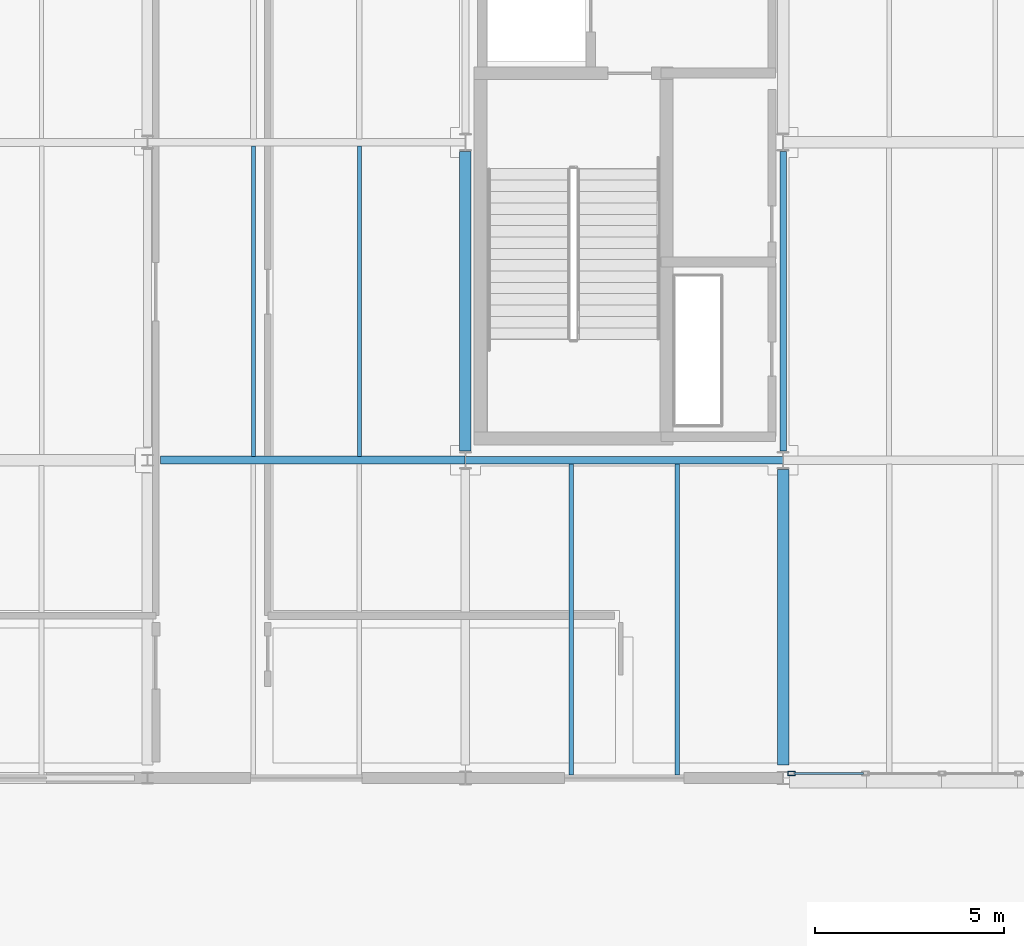
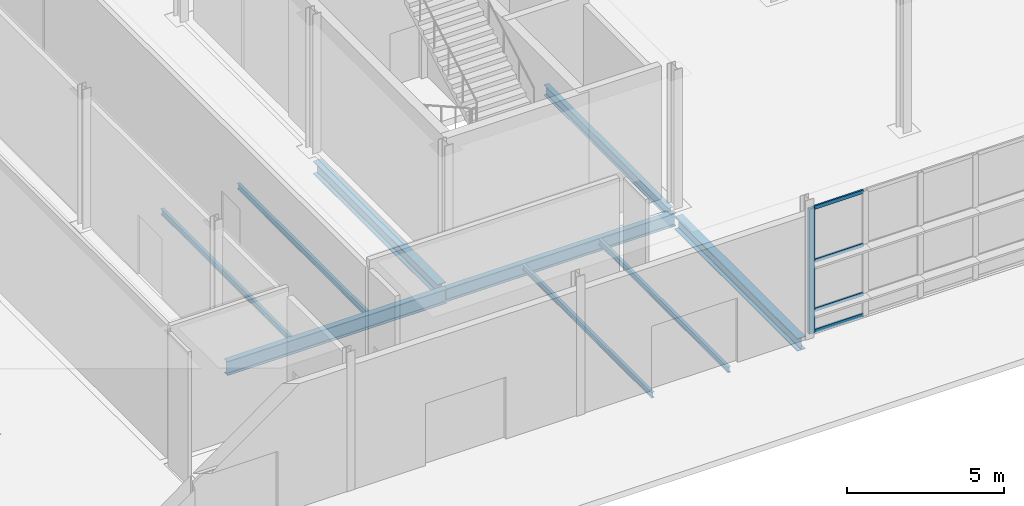
# One storey, part 23 of 124: 9 beams, 5 members, 1 element without a shape of its own.
"""IFC4 building model written with IfcOpenShell, lengths in metres."""

from ifc_helpers import new_model, si_unit, direction, frame, origin, origin_2d, place, context, subcontext, project, spatial, hollow_rectangle, i_section, extrude, material, material_profile, profile_set, type_object, element, aggregate, save


model = new_model("IFC4")

# Units and contexts
model_context = context("Model", 3, precision=1e-05, world=origin(), true_north=direction((0.0, 1.0)))
body_context = subcontext(model_context, "Body", "Model", "MODEL_VIEW")
ifc_project = project(units=[si_unit("LENGTHUNIT", "METRE"), si_unit("AREAUNIT", "SQUARE_METRE"), si_unit("VOLUMEUNIT", "CUBIC_METRE"), si_unit("PLANEANGLEUNIT", "RADIAN"), si_unit("MASSUNIT", "GRAM", prefix="KILO")], contexts=[model_context])

# Site, building, storey
site_placement = place(None, origin())
site = spatial("IfcSite", under=ifc_project, at=site_placement, CompositionType="ELEMENT")
building_placement = place(site_placement, origin())
building = spatial("IfcBuilding", under=site, at=building_placement, Name="Mersafa Astral City Hall", CompositionType="ELEMENT")
storey_placement = place(building_placement, origin())
storey = spatial("IfcBuildingStorey", under=building, at=storey_placement, Name="L00", CompositionType="ELEMENT", Elevation=0.0)

# Curtain wall, members
ifc_material_1 = material(Name="Anodised bronze aluminium framing", Category="aluminium")
curtain_wall_type = type_object("IfcCurtainWallType", Name="ENV-CW-2", PredefinedType="USERDEFINED", material=ifc_material_1)
curtain_wall_placement = place(storey_placement, origin())
curtain_wall = element("IfcCurtainWall", 1, at=curtain_wall_placement, inside=storey, type_object=curtain_wall_type, Name="L00 Unitised solar curtain wall 1", ObjectType="UNITISED CURTAIN WALL", PredefinedType="USERDEFINED")
ifc_material_profile_1 = material_profile(ifc_material_1, hollow_rectangle(XDim=0.1201171875, YDim=0.199951171875, WallThickness=0.008056640625, at=origin_2d()), Name="RHS 120x200x8")
ifc_profile_set_1 = profile_set([ifc_material_profile_1], Name="Anodised bronze aluminium framing")
member_type_1 = type_object("IfcMemberType", Name="ENV-CW-MUL-2", PredefinedType="MULLION", material=ifc_profile_set_1)
member_1_placement = place(storey_placement, frame((126.221923828125, 0.1201171875, -0.001953125), z_axis=(0.0, 0.0, 1.0), x_axis=(0.0, 1.0, 0.0)))
member_1 = element("IfcMember", 2, at=member_1_placement, type_object=member_type_1, Name="CW-2 mullion 1", PredefinedType="MULLION", context=body_context, shape_type="SweptSolid", body=[
    extrude(hollow_rectangle(XDim=0.1201171875, YDim=0.199951171875, WallThickness=0.008056640625, at=origin_2d()), origin(), (0.0, 0.0, 1.0), 4.843994140625),
])
ifc_material_profile_2 = material_profile(ifc_material_1, hollow_rectangle(XDim=0.06005859375, YDim=0.139892578125, WallThickness=0.00390625, at=origin_2d()), Name="RHS 60x140x4")
ifc_profile_set_2 = profile_set([ifc_material_profile_2], Name="Anodised bronze aluminium framing")
member_type_2 = type_object("IfcMemberType", Name="ENV-CW-TRN-1", PredefinedType="USERDEFINED", material=ifc_profile_set_2)
member_2_placement = place(storey_placement, frame((126.281982421875, 0.1201171875, 0.028076171875), z_axis=(1.0, 0.0, 0.0), x_axis=(0.0, 1.0, 0.0)))
member_2 = element("IfcMember", 3, at=member_2_placement, type_object=member_type_2, Name="CW-2 transom 1.1", ObjectType="TRANSOM", PredefinedType="USERDEFINED", context=body_context, shape_type="SweptSolid", body=[
    extrude(hollow_rectangle(XDim=0.06005859375, YDim=0.139892578125, WallThickness=0.00390625, at=origin_2d()), origin(), (0.0, 0.0, 1.0), 1.839111328125),
])
member_3_placement = place(storey_placement, frame((126.281982421875, 0.1201171875, 0.85009765625), z_axis=(1.0, 0.0, 0.0), x_axis=(0.0, 1.0, 0.0)))
member_3 = element("IfcMember", 4, at=member_3_placement, type_object=member_type_2, Name="CW-2 transom 1.2", ObjectType="TRANSOM", PredefinedType="USERDEFINED", context=body_context, shape_type="SweptSolid", body=[
    extrude(hollow_rectangle(XDim=0.06005859375, YDim=0.139892578125, WallThickness=0.00390625, at=origin_2d()), origin(), (0.0, 0.0, 1.0), 1.839111328125),
])
member_4_placement = place(storey_placement, frame((126.281982421875, 0.1201171875, 2.75), z_axis=(1.0, 0.0, 0.0), x_axis=(0.0, 1.0, 0.0)))
member_4 = element("IfcMember", 5, at=member_4_placement, type_object=member_type_2, Name="CW-2 transom 1.3", ObjectType="TRANSOM", PredefinedType="USERDEFINED", context=body_context, shape_type="SweptSolid", body=[
    extrude(hollow_rectangle(XDim=0.06005859375, YDim=0.139892578125, WallThickness=0.00390625, at=origin_2d()), origin(), (0.0, 0.0, 1.0), 1.839111328125),
])
member_5_placement = place(storey_placement, frame((126.281982421875, 0.1201171875, 4.81201171875), z_axis=(1.0, 0.0, 0.0), x_axis=(0.0, 1.0, 0.0)))
member_5 = element("IfcMember", 6, at=member_5_placement, type_object=member_type_2, Name="CW-2 transom 1.4", ObjectType="TRANSOM", PredefinedType="USERDEFINED", context=body_context, shape_type="SweptSolid", body=[
    extrude(hollow_rectangle(XDim=0.06005859375, YDim=0.139892578125, WallThickness=0.00390625, at=origin_2d()), origin(), (0.0, 0.0, 1.0), 1.839111328125),
])
aggregate(curtain_wall, [member_1, member_2, member_3, member_4, member_5])

# Beams
ifc_material_2 = material(Name="Steel S355", Category="steel")
ifc_material_profile_3 = material_profile(ifc_material_2, i_section(OverallWidth=0.300048828125, OverallDepth=0.489990234375, WebThickness=0.011962890625, FlangeThickness=0.02294921875, FilletRadius=0.027099609375, at=origin_2d()), Name="HEA 500")
ifc_profile_set_3 = profile_set([ifc_material_profile_3], Name="Steel S355")
beam_type_1 = type_object("IfcBeamType", Name="STR-BM-HEA500", PredefinedType="BEAM", material=ifc_profile_set_3)
beam_1_placement = place(storey_placement, frame((117.60009765625, 8.64501953125, -0.4951171875), z_axis=(0.0, 1.0, 0.0), x_axis=(-1.0, 0.0, 0.0)))
element("IfcBeam", 7, at=beam_1_placement, inside=storey, type_object=beam_type_1, Name="L00 Primary girder Y 14-1", PredefinedType="BEAM", context=body_context, shape_type="SweptSolid", body=[
    extrude(i_section(OverallWidth=0.300048828125, OverallDepth=0.489990234375, WebThickness=0.011962890625, FlangeThickness=0.02294921875, FilletRadius=0.027099609375, at=origin_2d()), origin(), (0.0, 0.0, 1.0), 7.909912109375),
])
beam_2_placement = place(storey_placement, frame((126.0, 0.344970703125, -0.4951171875), z_axis=(0.0, 1.0, 0.0), x_axis=(-1.0, 0.0, 0.0)))
element("IfcBeam", 8, at=beam_2_placement, inside=storey, type_object=beam_type_1, Name="L00 Primary girder Y 15-0", PredefinedType="BEAM", context=body_context, shape_type="SweptSolid", body=[
    extrude(i_section(OverallWidth=0.300048828125, OverallDepth=0.489990234375, WebThickness=0.011962890625, FlangeThickness=0.02294921875, FilletRadius=0.027099609375, at=origin_2d()), origin(), (0.0, 0.0, 1.0), 7.81005859375),
])
ifc_material_profile_4 = material_profile(ifc_material_2, i_section(OverallWidth=0.179931640625, OverallDepth=0.39990234375, WebThickness=0.008544921875, FlangeThickness=0.013427734375, FilletRadius=0.02099609375, at=origin_2d()), Name="IPE 400")
ifc_profile_set_4 = profile_set([ifc_material_profile_4], Name="Steel S355")
beam_type_2 = type_object("IfcBeamType", Name="STR-BM-IPE400", PredefinedType="BEAM", material=ifc_profile_set_4)
beam_3_placement = place(storey_placement, frame((126.0, 8.64501953125, -0.449951171875), z_axis=(0.0, 1.0, 0.0), x_axis=(-1.0, 0.0, 0.0)))
element("IfcBeam", 9, at=beam_3_placement, inside=storey, type_object=beam_type_2, Name="L00 Primary girder Y 15-1", PredefinedType="BEAM", context=body_context, shape_type="SweptSolid", body=[
    extrude(i_section(OverallWidth=0.179931640625, OverallDepth=0.39990234375, WebThickness=0.008544921875, FlangeThickness=0.013427734375, FilletRadius=0.02099609375, at=origin_2d()), origin(), (0.0, 0.0, 1.0), 7.909912109375),
])
ifc_material_profile_5 = material_profile(ifc_material_2, i_section(OverallWidth=0.199951171875, OverallDepth=0.5, WebThickness=0.01025390625, FlangeThickness=0.01611328125, FilletRadius=0.02099609375, at=origin_2d()), Name="IPE 500")
ifc_profile_set_5 = profile_set([ifc_material_profile_5], Name="Steel S355")
beam_type_3 = type_object("IfcBeamType", Name="STR-BM-IPE500", PredefinedType="BEAM", material=ifc_profile_set_5)
beam_4_placement = place(storey_placement, frame((117.60302734375, 8.39990234375, -0.5), z_axis=(1.0, 0.0, 0.0), x_axis=(0.0, 1.0, 0.0)))
element("IfcBeam", 10, at=beam_4_placement, inside=storey, type_object=beam_type_3, Name="L00 Primary girder X 14-1", PredefinedType="BEAM", context=body_context, shape_type="SweptSolid", body=[
    extrude(i_section(OverallWidth=0.199951171875, OverallDepth=0.5, WebThickness=0.01025390625, FlangeThickness=0.01611328125, FilletRadius=0.02099609375, at=origin_2d()), origin(), (0.0, 0.0, 1.0), 8.39404296875),
])
ifc_material_profile_6 = material_profile(ifc_material_2, i_section(OverallWidth=0.2099609375, OverallDepth=0.550048828125, WebThickness=0.010986328125, FlangeThickness=0.01708984375, FilletRadius=0.02392578125, at=origin_2d()), Name="IPE 550")
ifc_profile_set_6 = profile_set([ifc_material_profile_6], Name="Steel S355")
beam_type_4 = type_object("IfcBeamType", Name="STR-BM-IPE550", PredefinedType="BEAM", material=ifc_profile_set_6)
beam_5_placement = place(storey_placement, frame((109.544921875, 8.39990234375, -0.52490234375), z_axis=(1.0, 0.0, 0.0), x_axis=(0.0, 1.0, 0.0)))
element("IfcBeam", 11, at=beam_5_placement, inside=storey, type_object=beam_type_4, Name="L00 Primary girder X 13-1", PredefinedType="BEAM", context=body_context, shape_type="SweptSolid", body=[
    extrude(i_section(OverallWidth=0.2099609375, OverallDepth=0.550048828125, WebThickness=0.010986328125, FlangeThickness=0.01708984375, FilletRadius=0.02392578125, at=origin_2d()), origin(), (0.0, 0.0, 1.0), 8.052001953125),
])
ifc_material_profile_7 = material_profile(ifc_material_2, i_section(OverallWidth=0.110107421875, OverallDepth=0.219970703125, WebThickness=0.005859375, FlangeThickness=0.00927734375, FilletRadius=0.011962890625, at=origin_2d()), Name="IPE 220")
ifc_profile_set_7 = profile_set([ifc_material_profile_7], Name="Steel S355")
beam_type_5 = type_object("IfcBeamType", Name="STR-BM-JOIST-IPE220", PredefinedType="JOIST", material=ifc_profile_set_7)
for number, where, z_axis, x_axis, name in (
    (12, (112.0, 8.5, -0.360107421875), (0.0, 1.0, 0.0), (-1.0, 0.0, 0.0), "L00 Composite secondary floor joist 110"),
    (13, (114.800048828125, 8.5, -0.360107421875), (0.0, 1.0, 0.0), (-1.0, 0.0, 0.0), "L00 Composite secondary floor joist 111"),
):
    element("IfcBeam", number, at=place(storey_placement, frame(where, z_axis=z_axis, x_axis=x_axis)), inside=storey, type_object=beam_type_5, Name=name, PredefinedType="JOIST", context=body_context, shape_type="SweptSolid", body=[
        extrude(i_section(OverallWidth=0.110107421875, OverallDepth=0.219970703125, WebThickness=0.005859375, FlangeThickness=0.00927734375, FilletRadius=0.011962890625, at=origin_2d()), origin(), (0.0, 0.0, 1.0), 8.205078125),
    ])
for number, where, z_axis, x_axis, name in (
    (14, (120.39990234375, 0.080078125, -0.360107421875), (0.0, 1.0, 0.0), (-1.0, 0.0, 0.0), "L00 Composite secondary floor joist 138"),
    (15, (123.199951171875, 0.080078125, -0.360107421875), (0.0, 1.0, 0.0), (-1.0, 0.0, 0.0), "L00 Composite secondary floor joist 139"),
):
    element("IfcBeam", number, at=place(storey_placement, frame(where, z_axis=z_axis, x_axis=x_axis)), inside=storey, type_object=beam_type_5, Name=name, PredefinedType="JOIST", context=body_context, shape_type="SweptSolid", body=[
        extrude(i_section(OverallWidth=0.110107421875, OverallDepth=0.219970703125, WebThickness=0.005859375, FlangeThickness=0.00927734375, FilletRadius=0.011962890625, at=origin_2d()), origin(), (0.0, 0.0, 1.0), 8.224853515625),
    ])

save(model, "model.ifc")
